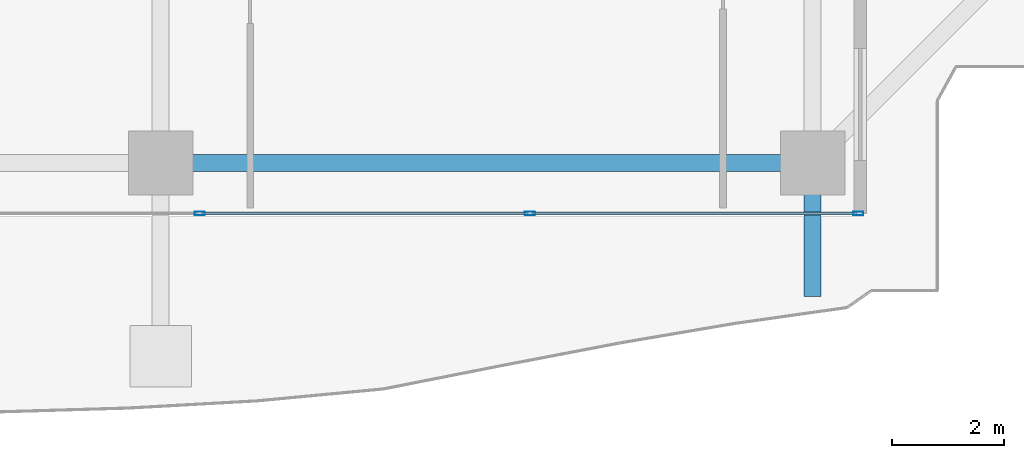
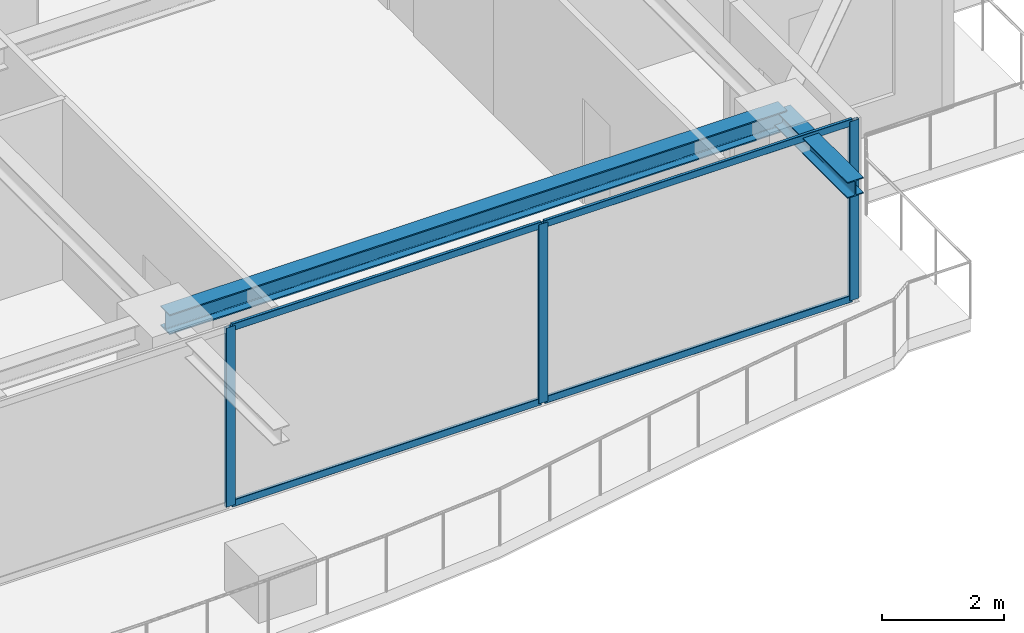
# One storey, part 11 of 38: 7 members, 2 beams, 1 element without a shape of its own.
"""IFC4 building model written with IfcOpenShell, lengths in metres."""

from ifc_helpers import new_model, si_unit, direction, frame, origin, origin_2d, place, context, subcontext, project, spatial, hollow_rectangle, i_section, extrude, source, transform, mapped, material, layer, layer_set, material_profile, profile_set, type_object, element, aggregate, save


model = new_model("IFC4")

# Units and contexts
model_context = context("Model", 3, precision=1e-05, world=origin(), true_north=direction((0.0, 1.0)))
body_context = subcontext(model_context, "Body", "Model", "MODEL_VIEW")
ifc_project = project(units=[si_unit("LENGTHUNIT", "METRE"), si_unit("AREAUNIT", "SQUARE_METRE"), si_unit("VOLUMEUNIT", "CUBIC_METRE"), si_unit("PLANEANGLEUNIT", "RADIAN"), si_unit("MASSUNIT", "GRAM", prefix="KILO")], contexts=[model_context])

# Site, building, storey
site_placement = place(None, origin())
site = spatial("IfcSite", under=ifc_project, at=site_placement, CompositionType="ELEMENT")
building_placement = place(site_placement, origin())
building = spatial("IfcBuilding", under=site, at=building_placement, Name="Serunith Strait Residences", CompositionType="ELEMENT")
storey_placement = place(building_placement, frame((0.0, 0.0, 241.25)))
storey = spatial("IfcBuildingStorey", under=building, at=storey_placement, Name="L60", CompositionType="ELEMENT", Elevation=241.25)

# Beams
ifc_material_1 = material(Name="Steel S355J2", Category="steel")
ifc_material_profile_1 = material_profile(ifc_material_1, i_section(OverallWidth=0.300048828125, OverallDepth=0.39990234375, WebThickness=0.013427734375, FlangeThickness=0.02392578125, FilletRadius=0.027099609375, at=origin_2d()), Name="HEB 400")
ifc_profile_set_1 = profile_set([ifc_material_profile_1], Name="Steel S355J2")
beam_type_1 = type_object("IfcBeamType", Name="BM-HEB400", PredefinedType="BEAM", material=ifc_profile_set_1)
shared_shape_1 = source(origin(), body_context, "Body", "SweptSolid", [
    extrude(i_section(OverallWidth=0.300048828125, OverallDepth=0.39990234375, WebThickness=0.013427734375, FlangeThickness=0.02392578125, FilletRadius=0.027099609375, at=origin_2d()), origin(), (0.0, 0.0, 1.0), 11.650146484375),
])
beam_1_placement = place(storey_placement, frame((36.89990234375, 2.10009765625, 3.386962890625), z_axis=(1.0, 0.0, 0.0), x_axis=(0.0, 1.0, 0.0)))
element("IfcBeam", 1, at=beam_1_placement, inside=storey, type_object=beam_type_1, Name="L60 Perimeter Ring Beam 03", PredefinedType="BEAM", context=body_context, shape_type="MappedRepresentation", body=[
    mapped(shared_shape_1, transform((0.0, 0.0, 0.0), scale=1.0)),
])
ifc_material_profile_2 = material_profile(ifc_material_1, i_section(OverallWidth=0.300048828125, OverallDepth=0.320068359375, WebThickness=0.011474609375, FlangeThickness=0.0205078125, FilletRadius=0.027099609375, at=origin_2d()), Name="HEB 320")
ifc_profile_set_2 = profile_set([ifc_material_profile_2], Name="Steel S355J2")
beam_type_2 = type_object("IfcBeamType", Name="BM-HEB320", PredefinedType="BEAM", material=ifc_profile_set_2)
shared_shape_2 = source(origin(), body_context, "Body", "SweptSolid", [
    extrude(i_section(OverallWidth=0.300048828125, OverallDepth=0.320068359375, WebThickness=0.011474609375, FlangeThickness=0.0205078125, FilletRadius=0.027099609375, at=origin_2d()), origin(), (0.0, 0.0, 1.0), 2.38720703125),
])
beam_2_placement = place(storey_placement, frame((48.550048828125, 2.10009765625, 3.39697265625), z_axis=(0.0, -1.0, 0.0), x_axis=(1.0, 0.0, 0.0)))
element("IfcBeam", 2, at=beam_2_placement, inside=storey, type_object=beam_type_2, Name="L61 Cantilevered Balcony Rib TC-S4", PredefinedType="BEAM", context=body_context, shape_type="MappedRepresentation", body=[
    mapped(shared_shape_2, transform((0.0, 0.0, 0.0), scale=1.0)),
])

# Curtain wall, members
ifc_material_2 = material(Name="Pale-Champagne Anodised Aluminium", Category="aluminium")
ifc_layer = layer(ifc_material_2, 0.199951171875, Name="Pale-Champagne Anodised Aluminium")
ifc_layer_set = layer_set([ifc_layer], Name="Pale-Champagne Anodised Aluminium")
curtain_wall_type = type_object("IfcCurtainWallType", Name="CW-SYS4", PredefinedType="NOTDEFINED", material=ifc_layer_set)
curtain_wall_placement = place(storey_placement, origin())
curtain_wall = element("IfcCurtainWall", 3, at=curtain_wall_placement, inside=storey, type_object=curtain_wall_type, Name="L60 S Unitised Fritted Curtain Wall", PredefinedType="NOTDEFINED")
ifc_material_profile_3 = material_profile(ifc_material_2, hollow_rectangle(XDim=0.06494140625, YDim=0.179931640625, WallThickness=0.00341796875, InnerFilletRadius=0.00537109375, OuterFilletRadius=0.0087890625, at=origin_2d()), Name="ALU 180x65x3.5")
ifc_profile_set_3 = profile_set([ifc_material_profile_3], Name="Pale-Champagne Anodised Aluminium")
member_type_1 = type_object("IfcMemberType", Name="CW-SYS4-MULL", PredefinedType="MULLION", material=ifc_profile_set_3)
shared_shape_3 = source(origin(), body_context, "Body", "SweptSolid", [
    extrude(hollow_rectangle(XDim=0.06494140625, YDim=0.179931640625, WallThickness=0.00341796875, InnerFilletRadius=0.00537109375, OuterFilletRadius=0.0087890625, at=origin_2d()), origin(), (0.0, 0.0, 1.0), 3.574951171875),
])
member_1_placement = place(storey_placement, frame((37.60009765625, 1.199951171875, 0.0), z_axis=(0.0, 0.0, 1.0), x_axis=(0.0, 1.0, 0.0)))
member_1 = element("IfcMember", 4, at=member_1_placement, type_object=member_type_1, Name="CW-4 mullion 2", PredefinedType="MULLION", context=body_context, shape_type="MappedRepresentation", body=[
    mapped(shared_shape_3, transform((0.0, 0.0, 0.0), scale=1.0)),
])
member_2_placement = place(storey_placement, frame((43.5, 1.199951171875, 0.0), z_axis=(0.0, 0.0, 1.0), x_axis=(0.0, 1.0, 0.0)))
member_2 = element("IfcMember", 5, at=member_2_placement, type_object=member_type_1, Name="CW-4 mullion 3", PredefinedType="MULLION", context=body_context, shape_type="MappedRepresentation", body=[
    mapped(shared_shape_3, transform((0.0, 0.0, 0.0), scale=1.0)),
])
member_3_placement = place(storey_placement, frame((49.367431640625, 1.199951171875, 0.0), z_axis=(0.0, 0.0, 1.0), x_axis=(0.0, 1.0, 0.0)))
member_3 = element("IfcMember", 6, at=member_3_placement, type_object=member_type_1, Name="CW-4 mullion 4", PredefinedType="MULLION", context=body_context, shape_type="MappedRepresentation", body=[
    mapped(shared_shape_3, transform((0.0, 0.0, 0.0), scale=1.0)),
])
ifc_material_profile_4 = material_profile(ifc_material_2, hollow_rectangle(XDim=0.06005859375, YDim=0.139892578125, WallThickness=0.00341796875, InnerFilletRadius=0.00537109375, OuterFilletRadius=0.0087890625, at=origin_2d()), Name="ALU 140x60x3.5")
ifc_profile_set_4 = profile_set([ifc_material_profile_4], Name="Pale-Champagne Anodised Aluminium")
member_type_2 = type_object("IfcMemberType", Name="CW-SYS4-TRAN", PredefinedType="USERDEFINED", material=ifc_profile_set_4)
shared_shape_4 = source(origin(), body_context, "Body", "SweptSolid", [
    extrude(hollow_rectangle(XDim=0.06005859375, YDim=0.139892578125, WallThickness=0.00341796875, InnerFilletRadius=0.00537109375, OuterFilletRadius=0.0087890625, at=origin_2d()), origin(), (0.0, 0.0, 1.0), 5.802490234375),
])
member_4_placement = place(storey_placement, frame((43.532470703125, 1.199951171875, 0.030029296875), z_axis=(1.0, 0.0, 0.0), x_axis=(0.0, 1.0, 0.0)))
member_4 = element("IfcMember", 7, at=member_4_placement, type_object=member_type_2, Name="CW-4 transom 3.1", ObjectType="TRANSOM", PredefinedType="USERDEFINED", context=body_context, shape_type="MappedRepresentation", body=[
    mapped(shared_shape_4, transform((0.0, 0.0, 0.0), scale=1.0)),
])
member_5_placement = place(storey_placement, frame((43.532470703125, 1.199951171875, 3.544921875), z_axis=(1.0, 0.0, 0.0), x_axis=(0.0, 1.0, 0.0)))
member_5 = element("IfcMember", 8, at=member_5_placement, type_object=member_type_2, Name="CW-4 transom 3.2", ObjectType="TRANSOM", PredefinedType="USERDEFINED", context=body_context, shape_type="MappedRepresentation", body=[
    mapped(shared_shape_4, transform((0.0, 0.0, 0.0), scale=1.0)),
])
shared_shape_5 = source(origin(), body_context, "Body", "SweptSolid", [
    extrude(hollow_rectangle(XDim=0.06005859375, YDim=0.139892578125, WallThickness=0.00341796875, InnerFilletRadius=0.00537109375, OuterFilletRadius=0.0087890625, at=origin_2d()), origin(), (0.0, 0.0, 1.0), 5.8349609375),
])
member_6_placement = place(storey_placement, frame((37.632568359375, 1.199951171875, 0.030029296875), z_axis=(1.0, 0.0, 0.0), x_axis=(0.0, 1.0, 0.0)))
member_6 = element("IfcMember", 9, at=member_6_placement, type_object=member_type_2, Name="CW-4 transom 2.1", ObjectType="TRANSOM", PredefinedType="USERDEFINED", context=body_context, shape_type="MappedRepresentation", body=[
    mapped(shared_shape_5, transform((0.0, 0.0, 0.0), scale=1.0)),
])
member_7_placement = place(storey_placement, frame((37.632568359375, 1.199951171875, 3.544921875), z_axis=(1.0, 0.0, 0.0), x_axis=(0.0, 1.0, 0.0)))
member_7 = element("IfcMember", 10, at=member_7_placement, type_object=member_type_2, Name="CW-4 transom 2.2", ObjectType="TRANSOM", PredefinedType="USERDEFINED", context=body_context, shape_type="MappedRepresentation", body=[
    mapped(shared_shape_5, transform((0.0, 0.0, 0.0), scale=1.0)),
])
aggregate(curtain_wall, [member_1, member_2, member_3, member_6, member_7, member_4, member_5])

save(model, "model.ifc")
